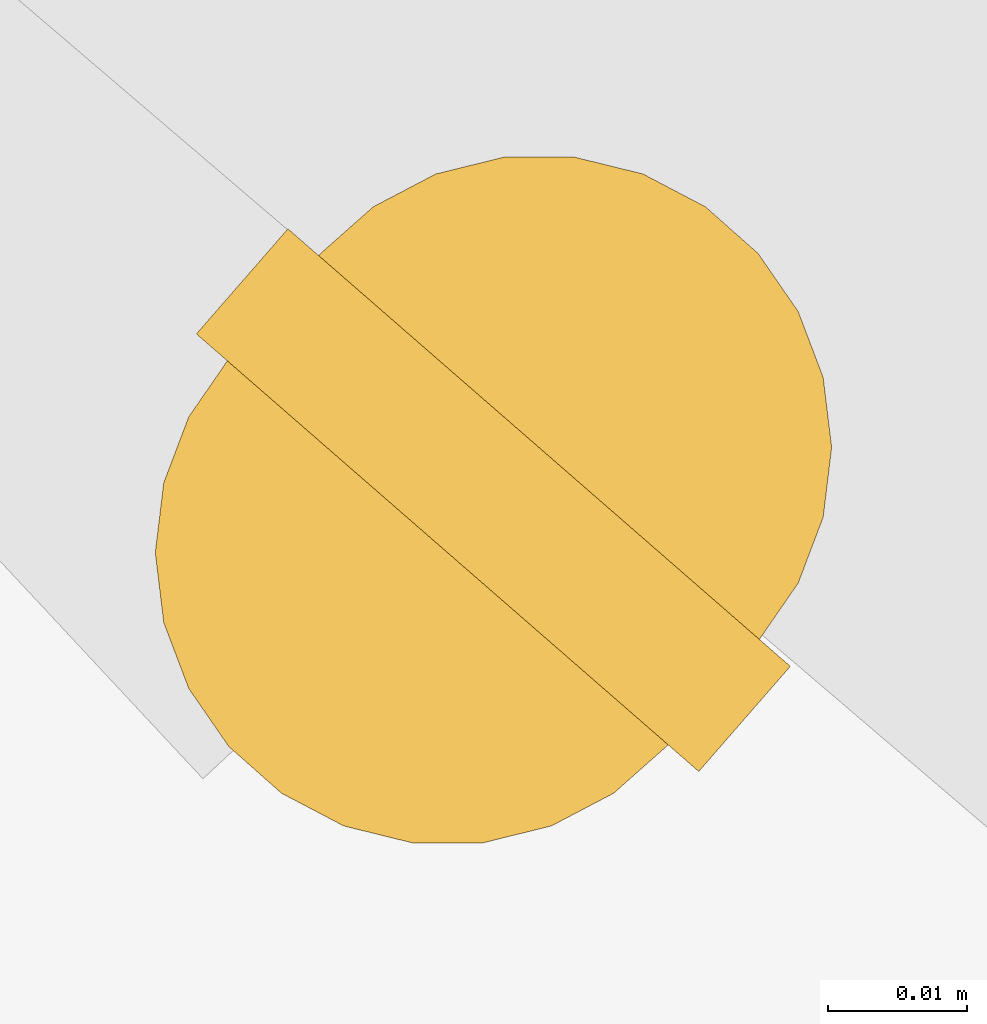
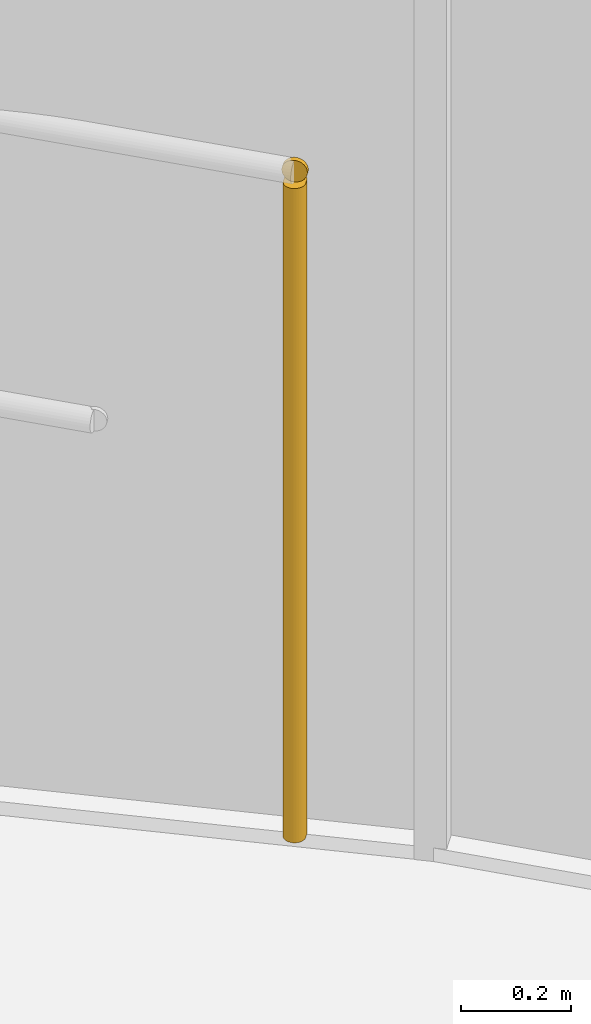
# One storey, part 19 of 25: 1 railing.
"""IFC4 building model written with IfcOpenShell, lengths in metres."""

import ifcopenshell
import ifcopenshell.guid

model = None  # the IFC model being written
_history = None  # IfcOwnerHistory: only IFC2X3 demands one
_inside = {}  # id of a spatial element -> (the spatial element, [elements in it])
_under = {}  # id of a project, library or spatial element -> (it, [spatial elements below it])
_declared = {}  # id of a project -> (the project, [libraries it declares])
_typed = {}  # id of a type object -> (the type object, [elements of that type])
_made_of = {}  # id of a material, layer set ... -> (it, [elements and type objects made of it])


def new_model(schema):
    """Start an empty IFC model of exactly this schema.

    Asked for "IFC4X3", IfcOpenShell would pick the latest addendum, in which some entities
    have other attributes; the version numbers below select the first issue.
    IFC2X3 requires an IfcOwnerHistory on every rooted entity: one is made here for all.
    """
    global model, _history
    if schema == "IFC4X3":
        model = ifcopenshell.file(schema_version=(4, 3, 0, 0))
    else:
        model = ifcopenshell.file(schema=schema)
    _inside.clear()
    _under.clear()
    _declared.clear()
    _typed.clear()
    _made_of.clear()
    _history = None
    if model.schema == "IFC2X3":
        org = make("IfcOrganization", Name="unknown")
        user = make(
            "IfcPersonAndOrganization",
            ThePerson=make("IfcPerson", FamilyName="unknown"),
            TheOrganization=org,
        )
        app = make(
            "IfcApplication",
            ApplicationDeveloper=org,
            Version="unknown",
            ApplicationFullName="unknown",
            ApplicationIdentifier="unknown",
        )
        _history = make(
            "IfcOwnerHistory",
            OwningUser=user,
            OwningApplication=app,
            ChangeAction="ADDED",
            CreationDate=0,
        )
    return model


def make(cls, **values):
    """One entity of the class cls with the attributes given. An attribute that is None is left unset."""
    return model.create_entity(
        cls, **{name: value for name, value in values.items() if value is not None}
    )


def rooted(cls, **values):
    """An entity with a GlobalId (a new one), such as an element, a storey or a relation."""
    return make(cls, GlobalId=ifcopenshell.guid.new(), OwnerHistory=_history, **values)


def si_unit(unit_type, name, prefix=None):
    """IfcSIUnit, for example si_unit("LENGTHUNIT", "METRE", prefix="MILLI")."""
    return make("IfcSIUnit", UnitType=unit_type, Prefix=prefix, Name=name)


def assignment(units):
    """IfcUnitAssignment: the units of a project."""
    return None if units is None else make("IfcUnitAssignment", Units=units)


def point(xyz):
    """IfcCartesianPoint."""
    return None if xyz is None else make("IfcCartesianPoint", Coordinates=xyz)


def direction(xyz):
    """IfcDirection."""
    return None if xyz is None else make("IfcDirection", DirectionRatios=xyz)


def frame(location, z_axis=None, x_axis=None):
    """IfcAxis2Placement3D, a coordinate frame: its origin and axes. An axis left out is left unset."""
    return make(
        "IfcAxis2Placement3D",
        Location=point(location),
        Axis=direction(z_axis),
        RefDirection=direction(x_axis),
    )


def frame_2d(location, x_axis=None):
    """IfcAxis2Placement2D, a coordinate frame in the plane: its origin and x axis."""
    return make(
        "IfcAxis2Placement2D", Location=point(location), RefDirection=direction(x_axis)
    )


def origin():
    """The frame at (0, 0, 0) with its axes left unset."""
    return frame((0.0, 0.0, 0.0))


def origin_2d():
    """The frame at (0, 0) in the plane with its x axis left unset."""
    return frame_2d((0.0, 0.0))


def place(relative_to, where):
    """IfcLocalPlacement: puts the frame where relative to a parent placement (None: the world)."""
    return make(
        "IfcLocalPlacement", PlacementRelTo=relative_to, RelativePlacement=where
    )


def context(
    kind, dimensions, precision=None, world=None, true_north=None, identifier=None
):
    """IfcGeometricRepresentationContext, for example the 3D "Model" context."""
    return make(
        "IfcGeometricRepresentationContext",
        ContextIdentifier=identifier,
        ContextType=kind,
        CoordinateSpaceDimension=dimensions,
        Precision=precision,
        WorldCoordinateSystem=world,
        TrueNorth=true_north,
    )


def subcontext(parent, identifier, kind, view, scale=None):
    """IfcGeometricRepresentationSubContext, for example "Body" below "Model"."""
    return make(
        "IfcGeometricRepresentationSubContext",
        ContextIdentifier=identifier,
        ContextType=kind,
        ParentContext=parent,
        TargetScale=scale,
        TargetView=view,
    )


def project(units=None, contexts=None):
    """IfcProject with its units and contexts."""
    return rooted(
        "IfcProject",
        Name="project",
        RepresentationContexts=contexts,
        UnitsInContext=assignment(units),
    )


def spatial(cls, under=None, at=None, **own):
    """A site, building, storey or space (cls), placed at a placement, below another one or the project."""
    s = rooted(cls, ObjectPlacement=at, **own)
    if under is not None:
        _under.setdefault(under.id(), (under, []))[1].append(s)
    return s


def profile(cls, at=None, kind="AREA", **sizes):
    """A parametric profile (cls). Its sizes go by their IFC names, for example OverallWidth=200.0."""
    return make(cls, ProfileType=kind, Position=at, **sizes)


def circle(**sizes):
    """IfcCircleProfileDef."""
    return profile("IfcCircleProfileDef", **sizes)


def extrude(swept, where, along, depth):
    """IfcExtrudedAreaSolid: the profile swept, set in the frame where, extruded along a direction by depth."""
    return make(
        "IfcExtrudedAreaSolid",
        SweptArea=swept,
        Position=where,
        ExtrudedDirection=direction(along),
        Depth=depth,
    )


def shape(context_of_items, identifier, shape_type, items):
    """IfcShapeRepresentation: the items that make up one representation, for example the "Body"."""
    return make(
        "IfcShapeRepresentation",
        ContextOfItems=context_of_items,
        RepresentationIdentifier=identifier,
        RepresentationType=shape_type,
        Items=items,
    )


def material(Name=None, Category=None):
    """IfcMaterial."""
    return make("IfcMaterial", Name=Name, Category=Category)


def made_of(thing, what):
    """Note that an element or type object is made of a material, layer set ...; save() writes the relation."""
    if what is not None:
        _made_of.setdefault(what.id(), (what, []))[1].append(thing)
    return thing


def type_object(cls, material=None, **own):
    """A type object (cls), such as IfcWallType, which elements share."""
    return made_of(rooted(cls, **own), material)


def element(
    cls,
    number,
    at=None,
    inside=None,
    cuts=None,
    type_object=None,
    material=None,
    context=None,
    identifier="Body",
    shape_type=None,
    held_by="IfcProductDefinitionShape",
    body=None,
    shapes=None,
    **own,
):
    """One element of the class cls, such as IfcWall. Its Tag is "e" and its number.

    at: its placement. inside: the storey or other place that contains it. cuts: it is an
    opening in that element (IfcRelVoidsElement). A single representation is given by context,
    identifier, shape_type and body (its items); several are given by shapes. held_by: the class
    of the entity that holds the representations. save() writes the other relations.
    """
    e = rooted(cls, Tag="e%d" % number, ObjectPlacement=at, **own)
    if body is not None:
        shapes = [shape(context, identifier, shape_type, body)]
    if shapes is not None:
        e.Representation = make(held_by, Representations=shapes)
    if inside is not None:
        _inside.setdefault(inside.id(), (inside, []))[1].append(e)
    if cuts is not None:
        rooted(
            "IfcRelVoidsElement", RelatingBuildingElement=cuts, RelatedOpeningElement=e
        )
    if type_object is not None:
        _typed.setdefault(type_object.id(), (type_object, []))[1].append(e)
    return made_of(e, material)


def aggregate(whole, parts):
    """IfcRelAggregates: a whole, such as a stair, and the parts it consists of."""
    return rooted("IfcRelAggregates", RelatingObject=whole, RelatedObjects=parts)


def save(model, path):
    """Write the relations noted so far, then the file.

    IfcRelAggregates (storeys below a building ...), IfcRelContainedInSpatialStructure (elements
    in a storey), IfcRelDefinesByType, IfcRelAssociatesMaterial and IfcRelDeclares: one each for
    every whole, place, type object, material and project.
    """
    for whole, parts in _under.values():
        aggregate(whole, parts)
    for where, things in _inside.values():
        rooted(
            "IfcRelContainedInSpatialStructure",
            RelatedElements=things,
            RelatingStructure=where,
        )
    for kind, things in _typed.values():
        rooted("IfcRelDefinesByType", RelatedObjects=things, RelatingType=kind)
    for what, things in _made_of.values():
        rooted("IfcRelAssociatesMaterial", RelatedObjects=things, RelatingMaterial=what)
    for by, libraries in _declared.values():
        rooted("IfcRelDeclares", RelatingContext=by, RelatedDefinitions=libraries)
    model.write(path)


model = new_model("IFC4")

# Units and contexts
model_context = context("Model", 3, precision=1e-05, world=origin(), true_north=direction((0.0, 1.0)))
body_context = subcontext(model_context, "Body", "Model", "MODEL_VIEW")
ifc_project = project(units=[si_unit("LENGTHUNIT", "METRE"), si_unit("AREAUNIT", "SQUARE_METRE"), si_unit("VOLUMEUNIT", "CUBIC_METRE"), si_unit("PLANEANGLEUNIT", "RADIAN"), si_unit("MASSUNIT", "GRAM", prefix="KILO")], contexts=[model_context])

# Site, building, storey
site_placement = place(None, origin())
site = spatial("IfcSite", under=ifc_project, at=site_placement, CompositionType="ELEMENT")
building_placement = place(site_placement, origin())
building = spatial("IfcBuilding", under=site, at=building_placement, Name="Spindle Arch Residences", CompositionType="ELEMENT")
storey_placement = place(building_placement, frame((0.0, 0.0, 151.699951171875)))
storey = spatial("IfcBuildingStorey", under=building, at=storey_placement, Name="L37", CompositionType="ELEMENT", Elevation=151.699951171875)

# Railing
ifc_material = material(Name="Bronze anodised aluminium guard with glass infill", Category="aluminium")
railing_type = type_object("IfcRailingType", Name="Terrace guard 1500", PredefinedType="GUARDRAIL", material=ifc_material)
railing_placement = place(storey_placement, frame((25.712646484375, 2.3984375, 0.030029296875)))
element("IfcRailing", 1, at=railing_placement, inside=storey, type_object=railing_type, Name="Terrace guard L36 8", PredefinedType="GUARDRAIL", context=body_context, shape_type="SweptSolid", body=[
    extrude(circle(Radius=0.02392578125, at=origin_2d()), frame((0.0, 0.0, 1.47607421875), z_axis=(0.656780744804, 0.754081595886, 0.0), x_axis=(-0.754081595886, 0.656780744804, 0.0)), (0.0, 0.0, 1.0), 0.010009765625),
    extrude(circle(Radius=0.02099609375, at=origin_2d()), origin(), (0.0, 0.0, 1.0), 1.451904296875),
    extrude(circle(Radius=0.02099609375, at=origin_2d()), frame((0.006591796875, 0.007568359375, 0.0)), (0.0, 0.0, 1.0), 1.451904296875),
])

save(model, "model.ifc")
